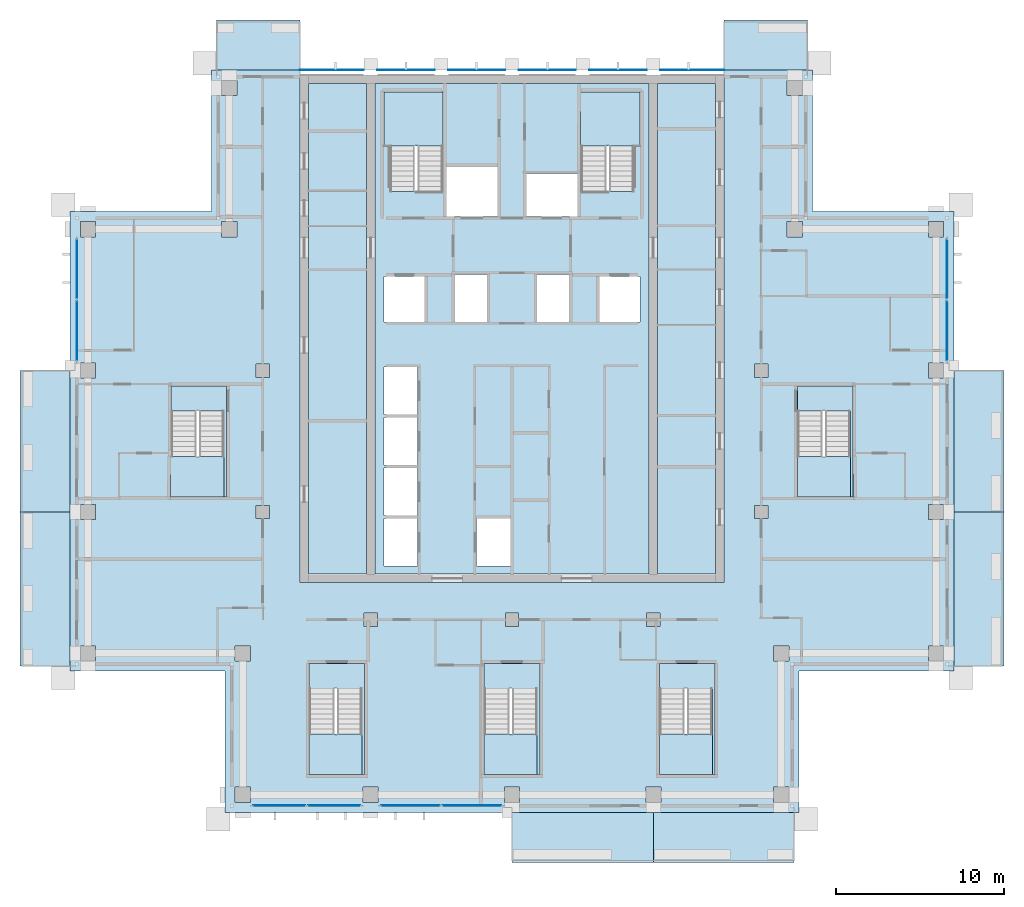
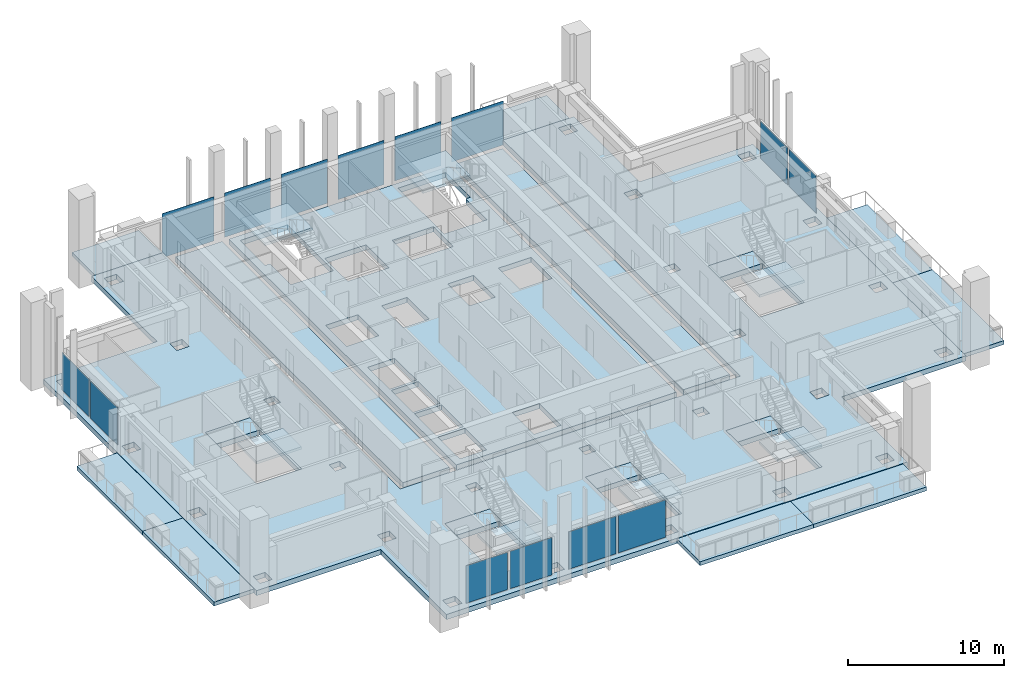
# One storey, part 7 of 18: 24 slabs, 14 plates, 11 elements without a shape of their own.
"""IFC4 building model written with IfcOpenShell, lengths in metres."""

import ifcopenshell
import ifcopenshell.guid

model = None  # the IFC model being written
_history = None  # IfcOwnerHistory: only IFC2X3 demands one
_inside = {}  # id of a spatial element -> (the spatial element, [elements in it])
_under = {}  # id of a project, library or spatial element -> (it, [spatial elements below it])
_declared = {}  # id of a project -> (the project, [libraries it declares])
_typed = {}  # id of a type object -> (the type object, [elements of that type])
_made_of = {}  # id of a material, layer set ... -> (it, [elements and type objects made of it])


def new_model(schema):
    """Start an empty IFC model of exactly this schema.

    Asked for "IFC4X3", IfcOpenShell would pick the latest addendum, in which some entities
    have other attributes; the version numbers below select the first issue.
    IFC2X3 requires an IfcOwnerHistory on every rooted entity: one is made here for all.
    """
    global model, _history
    if schema == "IFC4X3":
        model = ifcopenshell.file(schema_version=(4, 3, 0, 0))
    else:
        model = ifcopenshell.file(schema=schema)
    _inside.clear()
    _under.clear()
    _declared.clear()
    _typed.clear()
    _made_of.clear()
    _history = None
    if model.schema == "IFC2X3":
        org = make("IfcOrganization", Name="unknown")
        user = make(
            "IfcPersonAndOrganization",
            ThePerson=make("IfcPerson", FamilyName="unknown"),
            TheOrganization=org,
        )
        app = make(
            "IfcApplication",
            ApplicationDeveloper=org,
            Version="unknown",
            ApplicationFullName="unknown",
            ApplicationIdentifier="unknown",
        )
        _history = make(
            "IfcOwnerHistory",
            OwningUser=user,
            OwningApplication=app,
            ChangeAction="ADDED",
            CreationDate=0,
        )
    return model


def make(cls, **values):
    """One entity of the class cls with the attributes given. An attribute that is None is left unset."""
    return model.create_entity(
        cls, **{name: value for name, value in values.items() if value is not None}
    )


def rooted(cls, **values):
    """An entity with a GlobalId (a new one), such as an element, a storey or a relation."""
    return make(cls, GlobalId=ifcopenshell.guid.new(), OwnerHistory=_history, **values)


def si_unit(unit_type, name, prefix=None):
    """IfcSIUnit, for example si_unit("LENGTHUNIT", "METRE", prefix="MILLI")."""
    return make("IfcSIUnit", UnitType=unit_type, Prefix=prefix, Name=name)


def assignment(units):
    """IfcUnitAssignment: the units of a project."""
    return None if units is None else make("IfcUnitAssignment", Units=units)


def point(xyz):
    """IfcCartesianPoint."""
    return None if xyz is None else make("IfcCartesianPoint", Coordinates=xyz)


def direction(xyz):
    """IfcDirection."""
    return None if xyz is None else make("IfcDirection", DirectionRatios=xyz)


def frame(location, z_axis=None, x_axis=None):
    """IfcAxis2Placement3D, a coordinate frame: its origin and axes. An axis left out is left unset."""
    return make(
        "IfcAxis2Placement3D",
        Location=point(location),
        Axis=direction(z_axis),
        RefDirection=direction(x_axis),
    )


def frame_2d(location, x_axis=None):
    """IfcAxis2Placement2D, a coordinate frame in the plane: its origin and x axis."""
    return make(
        "IfcAxis2Placement2D", Location=point(location), RefDirection=direction(x_axis)
    )


def origin():
    """The frame at (0, 0, 0) with its axes left unset."""
    return frame((0.0, 0.0, 0.0))


def origin_2d():
    """The frame at (0, 0) in the plane with its x axis left unset."""
    return frame_2d((0.0, 0.0))


def place(relative_to, where):
    """IfcLocalPlacement: puts the frame where relative to a parent placement (None: the world)."""
    return make(
        "IfcLocalPlacement", PlacementRelTo=relative_to, RelativePlacement=where
    )


def context(
    kind, dimensions, precision=None, world=None, true_north=None, identifier=None
):
    """IfcGeometricRepresentationContext, for example the 3D "Model" context."""
    return make(
        "IfcGeometricRepresentationContext",
        ContextIdentifier=identifier,
        ContextType=kind,
        CoordinateSpaceDimension=dimensions,
        Precision=precision,
        WorldCoordinateSystem=world,
        TrueNorth=true_north,
    )


def subcontext(parent, identifier, kind, view, scale=None):
    """IfcGeometricRepresentationSubContext, for example "Body" below "Model"."""
    return make(
        "IfcGeometricRepresentationSubContext",
        ContextIdentifier=identifier,
        ContextType=kind,
        ParentContext=parent,
        TargetScale=scale,
        TargetView=view,
    )


def project(units=None, contexts=None):
    """IfcProject with its units and contexts."""
    return rooted(
        "IfcProject",
        Name="project",
        RepresentationContexts=contexts,
        UnitsInContext=assignment(units),
    )


def spatial(cls, under=None, at=None, **own):
    """A site, building, storey or space (cls), placed at a placement, below another one or the project."""
    s = rooted(cls, ObjectPlacement=at, **own)
    if under is not None:
        _under.setdefault(under.id(), (under, []))[1].append(s)
    return s


def polyline(points):
    """IfcPolyline through the points."""
    return make("IfcPolyline", Points=[point(p) for p in points])


def profile(cls, at=None, kind="AREA", **sizes):
    """A parametric profile (cls). Its sizes go by their IFC names, for example OverallWidth=200.0."""
    return make(cls, ProfileType=kind, Position=at, **sizes)


def rectangle(**sizes):
    """IfcRectangleProfileDef."""
    return profile("IfcRectangleProfileDef", **sizes)


def outline(outer, holes=None, kind="AREA"):
    """IfcArbitraryClosedProfileDef: a profile drawn as a closed curve; with holes, ...WithVoids."""
    if holes is None:
        return make("IfcArbitraryClosedProfileDef", ProfileType=kind, OuterCurve=outer)
    return make(
        "IfcArbitraryProfileDefWithVoids",
        ProfileType=kind,
        OuterCurve=outer,
        InnerCurves=holes,
    )


def extrude(swept, where, along, depth):
    """IfcExtrudedAreaSolid: the profile swept, set in the frame where, extruded along a direction by depth."""
    return make(
        "IfcExtrudedAreaSolid",
        SweptArea=swept,
        Position=where,
        ExtrudedDirection=direction(along),
        Depth=depth,
    )


def shape(context_of_items, identifier, shape_type, items):
    """IfcShapeRepresentation: the items that make up one representation, for example the "Body"."""
    return make(
        "IfcShapeRepresentation",
        ContextOfItems=context_of_items,
        RepresentationIdentifier=identifier,
        RepresentationType=shape_type,
        Items=items,
    )


def material(Name=None, Category=None):
    """IfcMaterial."""
    return make("IfcMaterial", Name=Name, Category=Category)


def layer(
    of_material, thickness, ventilated=None, Name=None, Category=None, Priority=None
):
    """IfcMaterialLayer: one layer of a wall or slab, of a material (None: an air gap)."""
    return make(
        "IfcMaterialLayer",
        Material=of_material,
        LayerThickness=thickness,
        IsVentilated=ventilated,
        Name=Name,
        Category=Category,
        Priority=Priority,
    )


def layer_set(layers, Name=None):
    """IfcMaterialLayerSet."""
    return make("IfcMaterialLayerSet", MaterialLayers=layers, LayerSetName=Name)


def made_of(thing, what):
    """Note that an element or type object is made of a material, layer set ...; save() writes the relation."""
    if what is not None:
        _made_of.setdefault(what.id(), (what, []))[1].append(thing)
    return thing


def type_object(cls, material=None, **own):
    """A type object (cls), such as IfcWallType, which elements share."""
    return made_of(rooted(cls, **own), material)


def element(
    cls,
    number,
    at=None,
    inside=None,
    cuts=None,
    type_object=None,
    material=None,
    context=None,
    identifier="Body",
    shape_type=None,
    held_by="IfcProductDefinitionShape",
    body=None,
    shapes=None,
    **own,
):
    """One element of the class cls, such as IfcWall. Its Tag is "e" and its number.

    at: its placement. inside: the storey or other place that contains it. cuts: it is an
    opening in that element (IfcRelVoidsElement). A single representation is given by context,
    identifier, shape_type and body (its items); several are given by shapes. held_by: the class
    of the entity that holds the representations. save() writes the other relations.
    """
    e = rooted(cls, Tag="e%d" % number, ObjectPlacement=at, **own)
    if body is not None:
        shapes = [shape(context, identifier, shape_type, body)]
    if shapes is not None:
        e.Representation = make(held_by, Representations=shapes)
    if inside is not None:
        _inside.setdefault(inside.id(), (inside, []))[1].append(e)
    if cuts is not None:
        rooted(
            "IfcRelVoidsElement", RelatingBuildingElement=cuts, RelatedOpeningElement=e
        )
    if type_object is not None:
        _typed.setdefault(type_object.id(), (type_object, []))[1].append(e)
    return made_of(e, material)


def aggregate(whole, parts):
    """IfcRelAggregates: a whole, such as a stair, and the parts it consists of."""
    return rooted("IfcRelAggregates", RelatingObject=whole, RelatedObjects=parts)


def save(model, path):
    """Write the relations noted so far, then the file.

    IfcRelAggregates (storeys below a building ...), IfcRelContainedInSpatialStructure (elements
    in a storey), IfcRelDefinesByType, IfcRelAssociatesMaterial and IfcRelDeclares: one each for
    every whole, place, type object, material and project.
    """
    for whole, parts in _under.values():
        aggregate(whole, parts)
    for where, things in _inside.values():
        rooted(
            "IfcRelContainedInSpatialStructure",
            RelatedElements=things,
            RelatingStructure=where,
        )
    for kind, things in _typed.values():
        rooted("IfcRelDefinesByType", RelatedObjects=things, RelatingType=kind)
    for what, things in _made_of.values():
        rooted("IfcRelAssociatesMaterial", RelatedObjects=things, RelatingMaterial=what)
    for by, libraries in _declared.values():
        rooted("IfcRelDeclares", RelatingContext=by, RelatedDefinitions=libraries)
    model.write(path)


model = new_model("IFC4")

# Units and contexts
model_context = context("Model", 3, precision=1e-05, world=origin(), true_north=direction((0.0, 1.0)))
body_context = subcontext(model_context, "Body", "Model", "MODEL_VIEW")
ifc_project = project(units=[si_unit("LENGTHUNIT", "METRE"), si_unit("AREAUNIT", "SQUARE_METRE"), si_unit("VOLUMEUNIT", "CUBIC_METRE"), si_unit("PLANEANGLEUNIT", "RADIAN"), si_unit("MASSUNIT", "GRAM", prefix="KILO")], contexts=[model_context])

# Site, building, storey
site_placement = place(None, origin())
site = spatial("IfcSite", under=ifc_project, at=site_placement, CompositionType="ELEMENT")
building_placement = place(site_placement, origin())
building = spatial("IfcBuilding", under=site, at=building_placement, Name="Vermilion Ogive Tower", CompositionType="ELEMENT")
storey_placement = place(building_placement, frame((0.0, 0.0, 240.699951171875)))
storey = spatial("IfcBuildingStorey", under=building, at=storey_placement, Name="L63", CompositionType="ELEMENT", Elevation=240.699951171875)

# Slabs
ifc_material_1 = material(Name="Concrete B40", Category="concrete")
ifc_layer_1 = layer(ifc_material_1, 0.300048828125)
ifc_layer_set_1 = layer_set([ifc_layer_1], Name="Balcony slab")
slab_type_1 = type_object("IfcSlabType", Name="Balcony slab", PredefinedType="FLOOR", material=ifc_layer_set_1)
slab_1_placement = place(storey_placement, frame((0.0, 0.0, -0.33984375)))
element("IfcSlab", 1, at=slab_1_placement, inside=storey, type_object=slab_type_1, Name="Balcony slab S03", PredefinedType="FLOOR", context=body_context, shape_type="SweptSolid", body=[
    extrude(outline(polyline([(0.0, -25.030029296875), (8.39990234375, -25.030029296875), (8.39990234375, -22.050048828125), (0.0, -22.050048828125), (0.0, -25.030029296875)])), origin(), (0.0, 0.0, 1.0), 0.2998046875),
])
slab_2_placement = place(storey_placement, frame((0.0, 0.0, -0.33984375)))
element("IfcSlab", 2, at=slab_2_placement, inside=storey, type_object=slab_type_1, Name="Balcony slab S04", PredefinedType="FLOOR", context=body_context, shape_type="SweptSolid", body=[
    extrude(outline(polyline([(8.39990234375, -25.030029296875), (16.75, -25.030029296875), (16.75, -22.050048828125), (8.39990234375, -22.050048828125), (8.39990234375, -25.030029296875)])), origin(), (0.0, 0.0, 1.0), 0.2998046875),
])
slab_3_placement = place(storey_placement, frame((0.0, 0.0, -0.33984375)))
element("IfcSlab", 3, at=slab_3_placement, inside=storey, type_object=slab_type_1, Name="Balcony slab E01", PredefinedType="FLOOR", context=body_context, shape_type="SweptSolid", body=[
    extrude(outline(polyline([(29.22998046875, -13.35009765625), (29.22998046875, -4.199951171875), (26.25, -4.199951171875), (26.25, -13.35009765625), (29.22998046875, -13.35009765625)])), origin(), (0.0, 0.0, 1.0), 0.2998046875),
])
slab_4_placement = place(storey_placement, frame((0.0, 0.0, -0.33984375)))
element("IfcSlab", 4, at=slab_4_placement, inside=storey, type_object=slab_type_1, Name="Balcony slab E02", PredefinedType="FLOOR", context=body_context, shape_type="SweptSolid", body=[
    extrude(outline(polyline([(29.22998046875, -4.199951171875), (29.22998046875, 4.199951171875), (26.25, 4.199951171875), (26.25, -4.199951171875), (29.22998046875, -4.199951171875)])), origin(), (0.0, 0.0, 1.0), 0.2998046875),
])
slab_5_placement = place(storey_placement, frame((0.0, 0.0, -0.33984375)))
element("IfcSlab", 5, at=slab_5_placement, inside=storey, type_object=slab_type_1, Name="Balcony slab N101", PredefinedType="FLOOR", context=body_context, shape_type="SweptSolid", body=[
    extrude(outline(polyline([(17.550048828125, 25.030029296875), (12.60009765625, 25.030029296875), (12.60009765625, 22.050048828125), (17.550048828125, 22.050048828125), (17.550048828125, 25.030029296875)])), origin(), (0.0, 0.0, 1.0), 0.2998046875),
])
slab_6_placement = place(storey_placement, frame((0.0, 0.0, -0.33984375)))
element("IfcSlab", 6, at=slab_6_placement, inside=storey, type_object=slab_type_1, Name="Balcony slab N201", PredefinedType="FLOOR", context=body_context, shape_type="SweptSolid", body=[
    extrude(outline(polyline([(-12.60009765625, 25.030029296875), (-17.550048828125, 25.030029296875), (-17.550048828125, 22.050048828125), (-12.60009765625, 22.050048828125), (-12.60009765625, 25.030029296875)])), origin(), (0.0, 0.0, 1.0), 0.2998046875),
])
slab_7_placement = place(storey_placement, frame((0.0, 0.0, -0.33984375)))
element("IfcSlab", 7, at=slab_7_placement, inside=storey, type_object=slab_type_1, Name="Balcony slab W02", PredefinedType="FLOOR", context=body_context, shape_type="SweptSolid", body=[
    extrude(outline(polyline([(-29.22998046875, 4.199951171875), (-29.22998046875, -4.199951171875), (-26.25, -4.199951171875), (-26.25, 4.199951171875), (-29.22998046875, 4.199951171875)])), origin(), (0.0, 0.0, 1.0), 0.2998046875),
])
slab_8_placement = place(storey_placement, frame((0.0, 0.0, -0.33984375)))
element("IfcSlab", 8, at=slab_8_placement, inside=storey, type_object=slab_type_1, Name="Balcony slab W03", PredefinedType="FLOOR", context=body_context, shape_type="SweptSolid", body=[
    extrude(outline(polyline([(-29.22998046875, -4.199951171875), (-29.22998046875, -13.35009765625), (-26.25, -13.35009765625), (-26.25, -4.199951171875), (-29.22998046875, -4.199951171875)])), origin(), (0.0, 0.0, 1.0), 0.2998046875),
])

# Curtain wall, plates
ifc_material_2 = material(Name="Low-iron laminated glazing in aluminium frame", Category="aluminium")
curtain_wall_type = type_object("IfcCurtainWallType", Name="Curtain wall CW7", PredefinedType="NOTDEFINED", material=ifc_material_2)
curtain_wall_1_placement = place(storey_placement, origin())
curtain_wall_1 = element("IfcCurtainWall", 9, at=curtain_wall_1_placement, inside=storey, type_object=curtain_wall_type, Name="Glazed skin S1", PredefinedType="NOTDEFINED")
ifc_material_3 = material(Name="Low-iron laminated glazing in aluminium frame", Category="aluminium")
ifc_layer_2 = layer(ifc_material_3, 0.031982421875)
ifc_layer_set_2 = layer_set([ifc_layer_2], Name="CW7 glazing panel 32")
plate_type_1 = type_object("IfcPlateType", Name="CW7 glazing panel 32", PredefinedType="CURTAIN_PANEL", material=ifc_layer_set_2)
plate_1_placement = place(storey_placement, frame((-13.830078125, -21.64990234375, 0.06005859375), z_axis=(0.0, 0.0, 1.0), x_axis=(1.0, 0.0, 0.0)))
plate_1 = element("IfcPlate", 10, at=plate_1_placement, type_object=plate_type_1, Name="CW7-S1 panel 1.1", PredefinedType="CURTAIN_PANEL", context=body_context, shape_type="SweptSolid", body=[
    extrude(rectangle(XDim=3.080078125, YDim=0.031982421875, at=origin_2d()), origin(), (0.0, 0.0, 1.0), 2.929931640625),
])
plate_2_placement = place(storey_placement, frame((-10.570068359375, -21.64990234375, 0.06005859375), z_axis=(0.0, 0.0, 1.0), x_axis=(1.0, 0.0, 0.0)))
plate_2 = element("IfcPlate", 11, at=plate_2_placement, type_object=plate_type_1, Name="CW7-S1 panel 2.1", PredefinedType="CURTAIN_PANEL", context=body_context, shape_type="SweptSolid", body=[
    extrude(rectangle(XDim=3.080078125, YDim=0.031982421875, at=origin_2d()), origin(), (0.0, 0.0, 1.0), 2.929931640625),
])
aggregate(curtain_wall_1, [plate_1, plate_2])

curtain_wall_2_placement = place(storey_placement, origin())
curtain_wall_2 = element("IfcCurtainWall", 12, at=curtain_wall_2_placement, inside=storey, type_object=curtain_wall_type, Name="Glazed skin S2", PredefinedType="NOTDEFINED")
plate_3_placement = place(storey_placement, frame((-6.030029296875, -21.64990234375, 0.06005859375), z_axis=(0.0, 0.0, 1.0), x_axis=(1.0, 0.0, 0.0)))
plate_3 = element("IfcPlate", 13, at=plate_3_placement, type_object=plate_type_1, Name="CW7-S2 panel 1.1", PredefinedType="CURTAIN_PANEL", context=body_context, shape_type="SweptSolid", body=[
    extrude(rectangle(XDim=3.47998046875, YDim=0.031982421875, at=origin_2d()), origin(), (0.0, 0.0, 1.0), 2.929931640625),
])
plate_4_placement = place(storey_placement, frame((-2.3701171875, -21.64990234375, 0.06005859375), z_axis=(0.0, 0.0, 1.0), x_axis=(1.0, 0.0, 0.0)))
plate_4 = element("IfcPlate", 14, at=plate_4_placement, type_object=plate_type_1, Name="CW7-S2 panel 2.1", PredefinedType="CURTAIN_PANEL", context=body_context, shape_type="SweptSolid", body=[
    extrude(rectangle(XDim=3.47998046875, YDim=0.031982421875, at=origin_2d()), origin(), (0.0, 0.0, 1.0), 2.929931640625),
])
aggregate(curtain_wall_2, [plate_3, plate_4])

curtain_wall_3_placement = place(storey_placement, origin())
curtain_wall_3 = element("IfcCurtainWall", 15, at=curtain_wall_3_placement, inside=storey, type_object=curtain_wall_type, Name="Glazed skin E3", PredefinedType="NOTDEFINED")
plate_5_placement = place(storey_placement, frame((25.85009765625, 6.570068359375, 0.06005859375), z_axis=(0.0, 0.0, 1.0), x_axis=(0.0, 1.0, 0.0)))
plate_5 = element("IfcPlate", 16, at=plate_5_placement, type_object=plate_type_1, Name="CW7-E3 panel 1.1", PredefinedType="CURTAIN_PANEL", context=body_context, shape_type="SweptSolid", body=[
    extrude(rectangle(XDim=3.47998046875, YDim=0.031982421875, at=origin_2d()), origin(), (0.0, 0.0, 1.0), 2.929931640625),
])
plate_6_placement = place(storey_placement, frame((25.85009765625, 10.22998046875, 0.06005859375), z_axis=(0.0, 0.0, 1.0), x_axis=(0.0, 1.0, 0.0)))
plate_6 = element("IfcPlate", 17, at=plate_6_placement, type_object=plate_type_1, Name="CW7-E3 panel 2.1", PredefinedType="CURTAIN_PANEL", context=body_context, shape_type="SweptSolid", body=[
    extrude(rectangle(XDim=3.47998046875, YDim=0.031982421875, at=origin_2d()), origin(), (0.0, 0.0, 1.0), 2.929931640625),
])
aggregate(curtain_wall_3, [plate_5, plate_6])

curtain_wall_4_placement = place(storey_placement, origin())
curtain_wall_4 = element("IfcCurtainWall", 18, at=curtain_wall_4_placement, inside=storey, type_object=curtain_wall_type, Name="Glazed skin W1", PredefinedType="NOTDEFINED")
plate_7_placement = place(storey_placement, frame((-25.85009765625, 10.22998046875, 0.06005859375), z_axis=(0.0, 0.0, 1.0), x_axis=(0.0, -1.0, 0.0)))
plate_7 = element("IfcPlate", 19, at=plate_7_placement, type_object=plate_type_1, Name="CW7-W1 panel 1.1", PredefinedType="CURTAIN_PANEL", context=body_context, shape_type="SweptSolid", body=[
    extrude(rectangle(XDim=3.47998046875, YDim=0.031982421875, at=origin_2d()), origin(), (0.0, 0.0, 1.0), 2.929931640625),
])
plate_8_placement = place(storey_placement, frame((-25.85009765625, 6.570068359375, 0.06005859375), z_axis=(0.0, 0.0, 1.0), x_axis=(0.0, -1.0, 0.0)))
plate_8 = element("IfcPlate", 20, at=plate_8_placement, type_object=plate_type_1, Name="CW7-W1 panel 2.1", PredefinedType="CURTAIN_PANEL", context=body_context, shape_type="SweptSolid", body=[
    extrude(rectangle(XDim=3.47998046875, YDim=0.031982421875, at=origin_2d()), origin(), (0.0, 0.0, 1.0), 2.929931640625),
])
aggregate(curtain_wall_4, [plate_7, plate_8])

# Slabs
ifc_material_4 = material(Name="Concrete B40", Category="concrete")
ifc_layer_3 = layer(ifc_material_4, 0.39990234375)
ifc_layer_set_3 = layer_set([ifc_layer_3], Name="Core floor slab 400 B40")
slab_type_2 = type_object("IfcSlabType", Name="Core floor slab 400 B40", PredefinedType="FLOOR", material=ifc_layer_set_3)
slab_9_placement = place(storey_placement, frame((0.0, 0.0, -0.39990234375)))
element("IfcSlab", 21, at=slab_9_placement, inside=storey, type_object=slab_type_2, Name="L63-CK-FS1", PredefinedType="FLOOR", context=body_context, shape_type="SweptSolid", body=[
    extrude(outline(polyline([(-8.654052734375, 21.24609375), (-8.654052734375, -7.89599609375), (-12.095947265625, -7.89599609375), (-12.095947265625, 21.24609375), (-8.654052734375, 21.24609375)])), origin(), (0.0, 0.0, 1.0), 0.39990234375),
])
slab_10_placement = place(storey_placement, frame((0.0, 0.0, -0.39990234375)))
element("IfcSlab", 22, at=slab_10_placement, inside=storey, type_object=slab_type_2, Name="L63-CK-FS2", PredefinedType="FLOOR", context=body_context, shape_type="SweptSolid", body=[
    extrude(outline(polyline([(-8.14599609375, -7.89599609375), (8.14599609375, -7.89599609375), (8.14599609375, 21.24609375), (-8.14599609375, 21.24609375), (-8.14599609375, -7.89599609375)]), holes=[polyline([(-7.60009765625, -7.39990234375), (-7.60009765625, -4.60009765625), (-5.60009765625, -4.60009765625), (-5.60009765625, -7.39990234375), (-7.60009765625, -7.39990234375)]), polyline([(-7.60009765625, -4.39990234375), (-7.60009765625, -1.60009765625), (-5.60009765625, -1.60009765625), (-5.60009765625, -4.39990234375), (-7.60009765625, -4.39990234375)]), polyline([(-7.60009765625, -1.39990234375), (-7.60009765625, 1.39990234375), (-5.60009765625, 1.39990234375), (-5.60009765625, -1.39990234375), (-7.60009765625, -1.39990234375)]), polyline([(-7.60009765625, 1.60009765625), (-7.60009765625, 4.39990234375), (-5.60009765625, 4.39990234375), (-5.60009765625, 1.60009765625), (-7.60009765625, 1.60009765625)]), polyline([(-7.60009765625, 7.10009765625), (-7.60009765625, 9.800048828125), (-5.199951171875, 9.800048828125), (-5.199951171875, 7.10009765625), (-7.60009765625, 7.10009765625)]), polyline([(-3.39990234375, 9.89990234375), (-1.5, 9.89990234375), (-1.5, 7.10009765625), (-3.39990234375, 7.10009765625), (-3.39990234375, 9.89990234375)]), polyline([(-7.60009765625, 17.550048828125), (-7.60009765625, 20.75), (-4.10009765625, 20.75), (-4.10009765625, 14.85205078125), (-5.60009765625, 14.85205078125), (-5.60009765625, 14.85009765625), (-5.75, 14.85009765625), (-5.75, 14.85205078125), (-7.25, 14.85205078125), (-7.25, 17.550048828125), (-7.60009765625, 17.550048828125)]), polyline([(-2.10009765625, -7.39990234375), (-2.10009765625, -4.60009765625), (-0.10009765625, -4.60009765625), (-0.10009765625, -7.39990234375), (-2.10009765625, -7.39990234375)]), polyline([(5.199951171875, 7.10009765625), (5.199951171875, 9.800048828125), (7.60009765625, 9.800048828125), (7.60009765625, 7.10009765625), (5.199951171875, 7.10009765625)]), polyline([(1.5, 7.10009765625), (1.5, 9.89990234375), (3.39990234375, 9.89990234375), (3.39990234375, 7.10009765625), (1.5, 7.10009765625)]), polyline([(0.85009765625, 13.35009765625), (0.85009765625, 15.89990234375), (3.89990234375, 15.89990234375), (3.89990234375, 13.35009765625), (0.85009765625, 13.35009765625)]), polyline([(-3.89990234375, 16.300048828125), (-0.85009765625, 16.300048828125), (-0.85009765625, 13.35009765625), (-3.89990234375, 13.35009765625), (-3.89990234375, 16.300048828125)]), polyline([(5.75, 14.85009765625), (5.60009765625, 14.85009765625), (5.60009765625, 14.85205078125), (4.10009765625, 14.85205078125), (4.10009765625, 17.550048828125), (4.074951171875, 17.550048828125), (4.074951171875, 20.75), (7.60009765625, 20.75), (7.60009765625, 17.550048828125), (7.25, 17.550048828125), (7.25, 14.85205078125), (5.75, 14.85205078125), (5.75, 14.85009765625)])]), origin(), (0.0, 0.0, 1.0), 0.39990234375),
])
slab_11_placement = place(storey_placement, frame((0.0, 0.0, -0.39990234375)))
element("IfcSlab", 23, at=slab_11_placement, inside=storey, type_object=slab_type_2, Name="L63-CK-FS3", PredefinedType="FLOOR", context=body_context, shape_type="SweptSolid", body=[
    extrude(outline(polyline([(8.654052734375, 21.24609375), (12.095947265625, 21.24609375), (12.095947265625, -7.89599609375), (8.654052734375, -7.89599609375), (8.654052734375, 21.24609375)])), origin(), (0.0, 0.0, 1.0), 0.39990234375),
])
slab_12_placement = place(storey_placement, frame((0.0, 0.0, -0.39990234375)))
element("IfcSlab", 24, at=slab_12_placement, inside=storey, type_object=slab_type_2, Name="L63-SF-ST3-1", PredefinedType="FLOOR", context=body_context, shape_type="SweptSolid", body=[
    extrude(outline(polyline([(-12.050048828125, -13.199951171875), (-12.050048828125, -14.701904296875), (-10.550048828125, -14.701904296875), (-10.550048828125, -14.699951171875), (-10.39990234375, -14.699951171875), (-10.39990234375, -14.701904296875), (-8.89990234375, -14.701904296875), (-8.89990234375, -19.800048828125), (-8.75, -19.800048828125), (-8.75, -13.199951171875), (-12.050048828125, -13.199951171875)])), origin(), (0.0, 0.0, 1.0), 0.39990234375),
])
slab_13_placement = place(storey_placement, frame((0.0, 0.0, -0.39990234375)))
element("IfcSlab", 25, at=slab_13_placement, inside=storey, type_object=slab_type_2, Name="L63-SF-ST4-1", PredefinedType="FLOOR", context=body_context, shape_type="SweptSolid", body=[
    extrude(outline(polyline([(-1.64990234375, -13.199951171875), (-1.64990234375, -14.701904296875), (-0.14990234375, -14.701904296875), (-0.14990234375, -14.699951171875), (0.0, -14.699951171875), (0.0, -14.701904296875), (1.5, -14.701904296875), (1.5, -19.800048828125), (1.64990234375, -19.800048828125), (1.64990234375, -13.199951171875), (-1.64990234375, -13.199951171875)])), origin(), (0.0, 0.0, 1.0), 0.39990234375),
])
slab_14_placement = place(storey_placement, frame((0.0, 0.0, -0.39990234375)))
element("IfcSlab", 26, at=slab_14_placement, inside=storey, type_object=slab_type_2, Name="L63-SF-ST5-1", PredefinedType="FLOOR", context=body_context, shape_type="SweptSolid", body=[
    extrude(outline(polyline([(8.75, -13.199951171875), (8.75, -14.701904296875), (10.25, -14.701904296875), (10.25, -14.699951171875), (10.39990234375, -14.699951171875), (10.39990234375, -14.701904296875), (11.89990234375, -14.701904296875), (11.89990234375, -19.800048828125), (12.050048828125, -19.800048828125), (12.050048828125, -13.199951171875), (8.75, -13.199951171875)])), origin(), (0.0, 0.0, 1.0), 0.39990234375),
])
slab_15_placement = place(storey_placement, frame((0.0, 0.0, -0.39990234375)))
element("IfcSlab", 27, at=slab_15_placement, inside=storey, type_object=slab_type_2, Name="L63-SF-ST8-1", PredefinedType="FLOOR", context=body_context, shape_type="SweptSolid", body=[
    extrude(outline(polyline([(16.949951171875, 3.300048828125), (16.949951171875, 1.798095703125), (18.449951171875, 1.798095703125), (18.449951171875, 1.800048828125), (18.60009765625, 1.800048828125), (18.60009765625, 1.798095703125), (20.10009765625, 1.798095703125), (20.10009765625, -3.300048828125), (20.25, -3.300048828125), (20.25, 3.300048828125), (16.949951171875, 3.300048828125)])), origin(), (0.0, 0.0, 1.0), 0.39990234375),
])
slab_16_placement = place(storey_placement, frame((0.0, 0.0, -0.39990234375)))
element("IfcSlab", 28, at=slab_16_placement, inside=storey, type_object=slab_type_2, Name="L63-SF-ST9-1", PredefinedType="FLOOR", context=body_context, shape_type="SweptSolid", body=[
    extrude(outline(polyline([(-20.25, 3.300048828125), (-20.25, 1.798095703125), (-18.75, 1.798095703125), (-18.75, 1.800048828125), (-18.60009765625, 1.800048828125), (-18.60009765625, 1.798095703125), (-17.10009765625, 1.798095703125), (-17.10009765625, -3.300048828125), (-16.949951171875, -3.300048828125), (-16.949951171875, 3.300048828125), (-20.25, 3.300048828125)])), origin(), (0.0, 0.0, 1.0), 0.39990234375),
])

# Plates
ifc_material_5 = material(Name="Low-iron laminated glazing in aluminium frame", Category="aluminium")
ifc_layer_4 = layer(ifc_material_5, 0.031982421875)
ifc_layer_set_4 = layer_set([ifc_layer_4], Name="Glazed rainscreen sheet 32")
plate_type_2 = type_object("IfcPlateType", Name="Glazed rainscreen sheet 32", PredefinedType="SHEET", material=ifc_layer_set_4)
plate_9_placement = place(storey_placement, frame((-10.7099609375, 22.06591796875, -0.39990234375), z_axis=(0.0, 0.0, 1.0), x_axis=(1.0, 0.0, 0.0)))
element("IfcPlate", 29, at=plate_9_placement, inside=storey, type_object=plate_type_2, Name="Glazed rainscreen sheet N1", PredefinedType="SHEET", context=body_context, shape_type="SweptSolid", body=[
    extrude(rectangle(XDim=3.820068359375, YDim=0.031982421875, at=origin_2d()), origin(), (0.0, 0.0, 1.0), 3.449951171875),
])
for number, where, z_axis, x_axis, name in (
    (30, (-6.300048828125, 22.06591796875, -0.39990234375), (0.0, 0.0, 1.0), (1.0, 0.0, 0.0), "Glazed rainscreen sheet N2"),
    (31, (-2.10009765625, 22.06591796875, -0.39990234375), (0.0, 0.0, 1.0), (1.0, 0.0, 0.0), "Glazed rainscreen sheet N3"),
    (32, (2.10009765625, 22.06591796875, -0.39990234375), (0.0, 0.0, 1.0), (1.0, 0.0, 0.0), "Glazed rainscreen sheet N4"),
    (33, (6.300048828125, 22.06591796875, -0.39990234375), (0.0, 0.0, 1.0), (1.0, 0.0, 0.0), "Glazed rainscreen sheet N5"),
):
    element("IfcPlate", number, at=place(storey_placement, frame(where, z_axis=z_axis, x_axis=x_axis)), inside=storey, type_object=plate_type_2, Name=name, PredefinedType="SHEET", context=body_context, shape_type="SweptSolid", body=[
        extrude(rectangle(XDim=3.39990234375, YDim=0.031982421875, at=origin_2d()), origin(), (0.0, 0.0, 1.0), 3.449951171875),
    ])
plate_10_placement = place(storey_placement, frame((10.7099609375, 22.06591796875, -0.39990234375), z_axis=(0.0, 0.0, 1.0), x_axis=(1.0, 0.0, 0.0)))
element("IfcPlate", 34, at=plate_10_placement, inside=storey, type_object=plate_type_2, Name="Glazed rainscreen sheet N6", PredefinedType="SHEET", context=body_context, shape_type="SweptSolid", body=[
    extrude(rectangle(XDim=3.820068359375, YDim=0.031982421875, at=origin_2d()), origin(), (0.0, 0.0, 1.0), 3.449951171875),
])

# Slab
ifc_material_6 = material(Name="Concrete B45", Category="concrete")
ifc_layer_5 = layer(ifc_material_6, 0.39990234375)
ifc_layer_set_5 = layer_set([ifc_layer_5], Name="Post-tensioned flat plate 400 B45")
slab_type_3 = type_object("IfcSlabType", Name="Post-tensioned flat plate 400 B45", PredefinedType="FLOOR", material=ifc_layer_set_5)
slab_17_placement = place(storey_placement, frame((0.0, 0.0, -0.39990234375)))
element("IfcSlab", 35, at=slab_17_placement, inside=storey, type_object=slab_type_3, Name="L63-SL-1", PredefinedType="FLOOR", context=body_context, shape_type="SweptSolid", body=[
    extrude(outline(polyline([(-26.25, -13.64990234375), (-17.050048828125, -13.64990234375), (-17.050048828125, -22.050048828125), (17.050048828125, -22.050048828125), (17.050048828125, -13.64990234375), (26.25, -13.64990234375), (26.25, 13.64990234375), (17.85009765625, 13.64990234375), (17.85009765625, 22.050048828125), (12.60009765625, 22.050048828125), (12.60009765625, -8.39990234375), (-12.60009765625, -8.39990234375), (-12.60009765625, 22.050048828125), (-17.85009765625, 22.050048828125), (-17.85009765625, 13.64990234375), (-26.25, 13.64990234375), (-26.25, -13.64990234375)]), holes=[polyline([(25.64990234375, -3.75), (25.64990234375, -4.64990234375), (24.75, -4.64990234375), (24.75, -3.75), (25.64990234375, -3.75)]), polyline([(25.64990234375, -12.14990234375), (25.64990234375, -13.050048828125), (24.75, -13.050048828125), (24.75, -12.14990234375), (25.64990234375, -12.14990234375)]), polyline([(25.64990234375, 12.14990234375), (24.75, 12.14990234375), (24.75, 13.050048828125), (25.64990234375, 13.050048828125), (25.64990234375, 12.14990234375)]), polyline([(25.64990234375, 3.75), (24.75, 3.75), (24.75, 4.64990234375), (25.64990234375, 4.64990234375), (25.64990234375, 3.75)]), polyline([(20.25, 3.300048828125), (20.25, -3.300048828125), (16.949951171875, -3.300048828125), (16.949951171875, 3.300048828125), (20.25, 3.300048828125)]), polyline([(17.25, 13.050048828125), (17.25, 12.14990234375), (16.35009765625, 12.14990234375), (16.35009765625, 13.050048828125), (17.25, 13.050048828125)]), polyline([(17.25, 20.550048828125), (16.35009765625, 20.550048828125), (16.35009765625, 21.449951171875), (17.25, 21.449951171875), (17.25, 20.550048828125)]), polyline([(16.449951171875, -12.14990234375), (16.449951171875, -13.050048828125), (15.550048828125, -13.050048828125), (15.550048828125, -12.14990234375), (16.449951171875, -12.14990234375)]), polyline([(16.449951171875, -20.550048828125), (16.449951171875, -21.449951171875), (15.550048828125, -21.449951171875), (15.550048828125, -20.550048828125), (16.449951171875, -20.550048828125)]), polyline([(15.199951171875, 4.60009765625), (15.199951171875, 3.800048828125), (14.39990234375, 3.800048828125), (14.39990234375, 4.60009765625), (15.199951171875, 4.60009765625)]), polyline([(15.199951171875, -4.60009765625), (14.39990234375, -4.60009765625), (14.39990234375, -3.800048828125), (15.199951171875, -3.800048828125), (15.199951171875, -4.60009765625)]), polyline([(12.050048828125, -13.199951171875), (12.050048828125, -19.800048828125), (8.75, -19.800048828125), (8.75, -13.199951171875), (12.050048828125, -13.199951171875)]), polyline([(8.85009765625, -20.550048828125), (8.85009765625, -21.449951171875), (7.949951171875, -21.449951171875), (7.949951171875, -20.550048828125), (8.85009765625, -20.550048828125)]), polyline([(8.800048828125, -11.0), (8.0, -11.0), (8.0, -10.199951171875), (8.800048828125, -10.199951171875), (8.800048828125, -11.0)]), polyline([(1.64990234375, -13.199951171875), (1.64990234375, -19.800048828125), (-1.64990234375, -19.800048828125), (-1.64990234375, -13.199951171875), (1.64990234375, -13.199951171875)]), polyline([(0.449951171875, -20.550048828125), (0.449951171875, -21.449951171875), (-0.449951171875, -21.449951171875), (-0.449951171875, -20.550048828125), (0.449951171875, -20.550048828125)]), polyline([(0.39990234375, -10.199951171875), (0.39990234375, -11.0), (-0.39990234375, -11.0), (-0.39990234375, -10.199951171875), (0.39990234375, -10.199951171875)]), polyline([(-7.949951171875, -20.550048828125), (-7.949951171875, -21.449951171875), (-8.85009765625, -21.449951171875), (-8.85009765625, -20.550048828125), (-7.949951171875, -20.550048828125)]), polyline([(-8.0, -10.199951171875), (-8.0, -11.0), (-8.800048828125, -11.0), (-8.800048828125, -10.199951171875), (-8.0, -10.199951171875)]), polyline([(-8.75, -13.199951171875), (-8.75, -19.800048828125), (-12.050048828125, -19.800048828125), (-12.050048828125, -13.199951171875), (-8.75, -13.199951171875)]), polyline([(-14.39990234375, 4.60009765625), (-14.39990234375, 3.800048828125), (-15.199951171875, 3.800048828125), (-15.199951171875, 4.60009765625), (-14.39990234375, 4.60009765625)]), polyline([(-14.39990234375, -4.60009765625), (-15.199951171875, -4.60009765625), (-15.199951171875, -3.800048828125), (-14.39990234375, -3.800048828125), (-14.39990234375, -4.60009765625)]), polyline([(-15.550048828125, -12.14990234375), (-15.550048828125, -13.050048828125), (-16.449951171875, -13.050048828125), (-16.449951171875, -12.14990234375), (-15.550048828125, -12.14990234375)]), polyline([(-15.550048828125, -20.550048828125), (-15.550048828125, -21.449951171875), (-16.449951171875, -21.449951171875), (-16.449951171875, -20.550048828125), (-15.550048828125, -20.550048828125)]), polyline([(-16.35009765625, 13.050048828125), (-16.35009765625, 12.14990234375), (-17.25, 12.14990234375), (-17.25, 13.050048828125), (-16.35009765625, 13.050048828125)]), polyline([(-16.35009765625, 20.550048828125), (-17.25, 20.550048828125), (-17.25, 21.449951171875), (-16.35009765625, 21.449951171875), (-16.35009765625, 20.550048828125)]), polyline([(-16.949951171875, 3.300048828125), (-16.949951171875, -3.300048828125), (-20.25, -3.300048828125), (-20.25, -3.2998046875), (-20.275146484375, -3.2998046875), (-20.275146484375, -0.89990234375), (-20.25, -0.89990234375), (-20.25, 3.300048828125), (-16.949951171875, 3.300048828125)]), polyline([(-24.75, 3.75), (-25.64990234375, 3.75), (-25.64990234375, 4.64990234375), (-24.75, 4.64990234375), (-24.75, 3.75)]), polyline([(-24.75, 13.050048828125), (-24.75, 12.14990234375), (-25.64990234375, 12.14990234375), (-25.64990234375, 13.050048828125), (-24.75, 13.050048828125)]), polyline([(-24.75, -3.75), (-24.75, -4.64990234375), (-25.64990234375, -4.64990234375), (-25.64990234375, -3.75), (-24.75, -3.75)]), polyline([(-24.75, -12.14990234375), (-24.75, -13.050048828125), (-25.64990234375, -13.050048828125), (-25.64990234375, -12.14990234375), (-24.75, -12.14990234375)])]), origin(), (0.0, 0.0, 1.0), 0.39990234375),
])

# Stair, slab
ifc_material_7 = material(Name="Concrete B40", Category="concrete")
stair_type = type_object("IfcStairType", Name="Exit stair 1500", PredefinedType="HALF_TURN_STAIR", material=ifc_material_7)
stair_1_placement = place(storey_placement, origin())
stair_1 = element("IfcStair", 36, at=stair_1_placement, inside=storey, type_object=stair_type, Name="L63 Exit Stair ST1", PredefinedType="HALF_TURN_STAIR")
ifc_material_8 = material(Name="Concrete B40", Category="concrete")
ifc_layer_6 = layer(ifc_material_8, 0.199951171875)
ifc_layer_set_6 = layer_set([ifc_layer_6], Name="Stair landing 200")
slab_type_4 = type_object("IfcSlabType", Name="Stair landing 200", PredefinedType="LANDING", material=ifc_layer_set_6)
slab_18_placement = place(storey_placement, frame((0.0, 0.0, 1.525146484375)))
slab_18 = element("IfcSlab", 37, at=slab_18_placement, type_object=slab_type_4, Name="ST1 landing 1", PredefinedType="LANDING", context=body_context, shape_type="SweptSolid", body=[
    extrude(outline(polyline([(-7.60009765625, 17.550048828125), (-7.25, 17.550048828125), (-7.25, 17.548095703125), (-5.75, 17.548095703125), (-5.75, 17.550048828125), (-5.60009765625, 17.550048828125), (-5.60009765625, 17.548095703125), (-4.10009765625, 17.548095703125), (-4.10009765625, 20.75), (-7.60009765625, 20.75), (-7.60009765625, 17.550048828125)])), origin(), (0.0, 0.0, 1.0), 0.199951171875),
])
aggregate(stair_1, [slab_18])

stair_2_placement = place(storey_placement, origin())
stair_2 = element("IfcStair", 38, at=stair_2_placement, inside=storey, type_object=stair_type, Name="L63 Exit Stair ST2", PredefinedType="HALF_TURN_STAIR")
slab_19_placement = place(storey_placement, frame((0.0, 0.0, 1.525146484375)))
slab_19 = element("IfcSlab", 39, at=slab_19_placement, type_object=slab_type_4, Name="ST2 landing 1", PredefinedType="LANDING", context=body_context, shape_type="SweptSolid", body=[
    extrude(outline(polyline([(5.60009765625, 17.550048828125), (5.75, 17.550048828125), (5.75, 17.548095703125), (7.25, 17.548095703125), (7.25, 17.550048828125), (7.60009765625, 17.550048828125), (7.60009765625, 20.75), (4.074951171875, 20.75), (4.074951171875, 17.550048828125), (4.10009765625, 17.550048828125), (4.10009765625, 17.548095703125), (5.60009765625, 17.548095703125), (5.60009765625, 17.550048828125)])), origin(), (0.0, 0.0, 1.0), 0.199951171875),
])
aggregate(stair_2, [slab_19])

stair_3_placement = place(storey_placement, origin())
stair_3 = element("IfcStair", 40, at=stair_3_placement, inside=storey, type_object=stair_type, Name="L63 Exit Stair ST3", PredefinedType="HALF_TURN_STAIR")
slab_20_placement = place(storey_placement, frame((0.0, 0.0, 1.525146484375)))
slab_20 = element("IfcSlab", 41, at=slab_20_placement, type_object=slab_type_4, Name="ST3 landing 1", PredefinedType="LANDING", context=body_context, shape_type="SweptSolid", body=[
    extrude(outline(polyline([(-8.75, -17.39990234375), (-8.89990234375, -17.39990234375), (-8.89990234375, -17.39794921875), (-10.39990234375, -17.39794921875), (-10.39990234375, -17.39990234375), (-10.550048828125, -17.39990234375), (-10.550048828125, -17.39794921875), (-12.050048828125, -17.39794921875), (-12.050048828125, -19.800048828125), (-8.75, -19.800048828125), (-8.75, -17.39990234375)])), origin(), (0.0, 0.0, 1.0), 0.199951171875),
])
aggregate(stair_3, [slab_20])

stair_4_placement = place(storey_placement, origin())
stair_4 = element("IfcStair", 42, at=stair_4_placement, inside=storey, type_object=stair_type, Name="L63 Exit Stair ST4", PredefinedType="HALF_TURN_STAIR")
slab_21_placement = place(storey_placement, frame((0.0, 0.0, 1.525146484375)))
slab_21 = element("IfcSlab", 43, at=slab_21_placement, type_object=slab_type_4, Name="ST4 landing 1", PredefinedType="LANDING", context=body_context, shape_type="SweptSolid", body=[
    extrude(outline(polyline([(1.64990234375, -17.39990234375), (1.5, -17.39990234375), (1.5, -17.39794921875), (0.0, -17.39794921875), (0.0, -17.39990234375), (-0.14990234375, -17.39990234375), (-0.14990234375, -17.39794921875), (-1.64990234375, -17.39794921875), (-1.64990234375, -19.7998046875), (1.64990234375, -19.7998046875), (1.64990234375, -17.39990234375)])), origin(), (0.0, 0.0, 1.0), 0.199951171875),
])
aggregate(stair_4, [slab_21])

stair_5_placement = place(storey_placement, origin())
stair_5 = element("IfcStair", 44, at=stair_5_placement, inside=storey, type_object=stair_type, Name="L63 Exit Stair ST5", PredefinedType="HALF_TURN_STAIR")
slab_22_placement = place(storey_placement, frame((0.0, 0.0, 1.525146484375)))
slab_22 = element("IfcSlab", 45, at=slab_22_placement, type_object=slab_type_4, Name="ST5 landing 1", PredefinedType="LANDING", context=body_context, shape_type="SweptSolid", body=[
    extrude(outline(polyline([(12.050048828125, -17.39990234375), (11.89990234375, -17.39990234375), (11.89990234375, -17.39794921875), (10.39990234375, -17.39794921875), (10.39990234375, -17.39990234375), (10.25, -17.39990234375), (10.25, -17.39794921875), (8.75, -17.39794921875), (8.75, -19.800048828125), (12.050048828125, -19.800048828125), (12.050048828125, -17.39990234375)])), origin(), (0.0, 0.0, 1.0), 0.199951171875),
])
aggregate(stair_5, [slab_22])

stair_6_placement = place(storey_placement, origin())
stair_6 = element("IfcStair", 46, at=stair_6_placement, inside=storey, type_object=stair_type, Name="L63 Exit Stair ST8", PredefinedType="HALF_TURN_STAIR")
slab_23_placement = place(storey_placement, frame((0.0, 0.0, 1.525146484375)))
slab_23 = element("IfcSlab", 47, at=slab_23_placement, type_object=slab_type_4, Name="ST8 landing 1", PredefinedType="LANDING", context=body_context, shape_type="SweptSolid", body=[
    extrude(outline(polyline([(20.275146484375, -0.89990234375), (20.10009765625, -0.89990234375), (20.10009765625, -0.89794921875), (18.60009765625, -0.89794921875), (18.60009765625, -0.89990234375), (18.449951171875, -0.89990234375), (18.449951171875, -0.89794921875), (16.949951171875, -0.89794921875), (16.949951171875, -0.902099609375), (16.9501953125, -0.902099609375), (16.9501953125, -3.2998046875), (20.275146484375, -3.2998046875), (20.275146484375, -0.89990234375)])), origin(), (0.0, 0.0, 1.0), 0.199951171875),
])
aggregate(stair_6, [slab_23])

stair_7_placement = place(storey_placement, origin())
stair_7 = element("IfcStair", 48, at=stair_7_placement, inside=storey, type_object=stair_type, Name="L63 Exit Stair ST9", PredefinedType="HALF_TURN_STAIR")
slab_24_placement = place(storey_placement, frame((0.0, 0.0, 1.525146484375)))
slab_24 = element("IfcSlab", 49, at=slab_24_placement, type_object=slab_type_4, Name="ST9 landing 1", PredefinedType="LANDING", context=body_context, shape_type="SweptSolid", body=[
    extrude(outline(polyline([(-16.9501953125, -0.89990234375), (-17.10009765625, -0.89990234375), (-17.10009765625, -0.89794921875), (-18.60009765625, -0.89794921875), (-18.60009765625, -0.89990234375), (-18.75, -0.89990234375), (-18.75, -0.89794921875), (-20.25, -0.89794921875), (-20.25, -0.89990234375), (-20.275146484375, -0.89990234375), (-20.275146484375, -3.2998046875), (-16.9501953125, -3.2998046875), (-16.9501953125, -0.89990234375)])), origin(), (0.0, 0.0, 1.0), 0.199951171875),
])
aggregate(stair_7, [slab_24])

save(model, "model.ifc")
